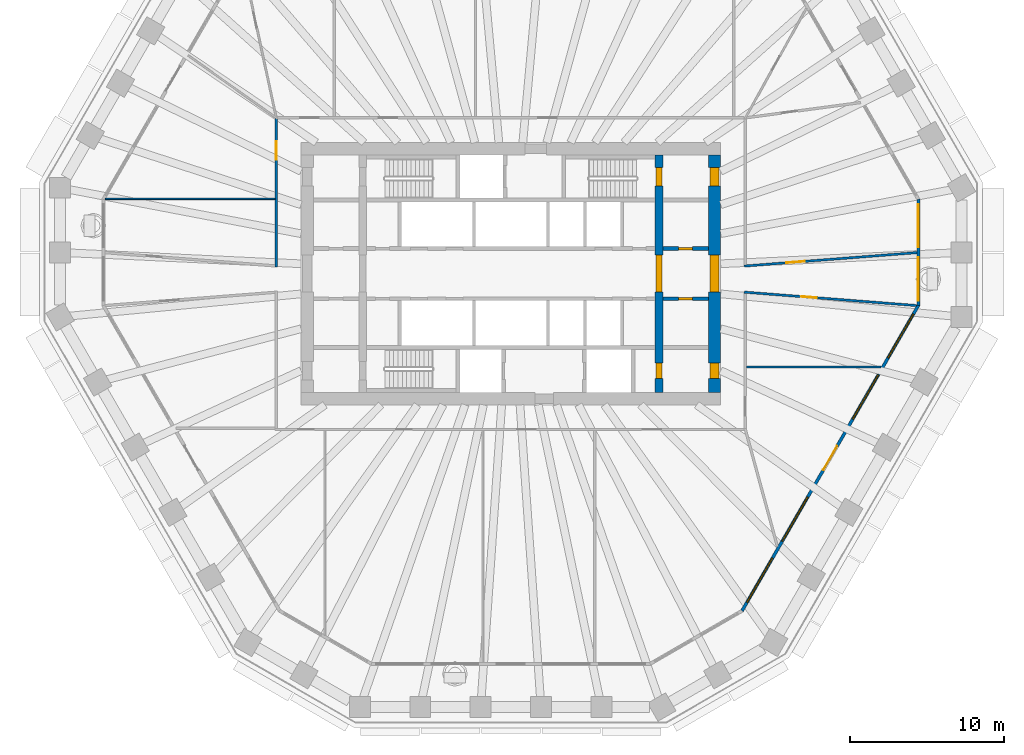
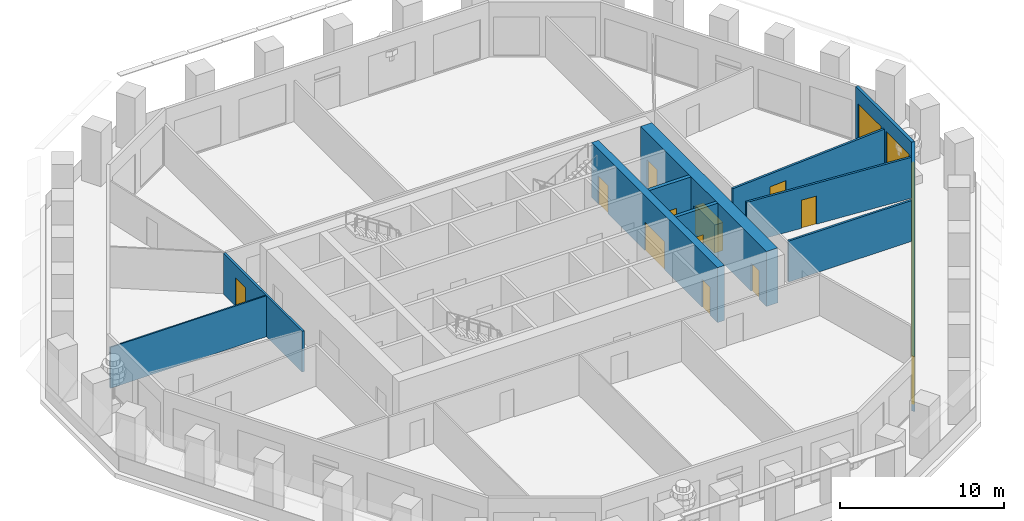
# One storey, part 5 of 12: 12 doors, 11 walls, 7 windows, 19 openings.
"""IFC4 building model written with IfcOpenShell, lengths in metres."""

from ifc_helpers import new_model, si_unit, direction, frame, frame_2d, origin, place, context, subcontext, project, spatial, polyline, rectangle, outline, extrude, material, layer, layer_set, type_object, element, fill, save


model = new_model("IFC4")

# Units and contexts
model_context = context("Model", 3, precision=1e-05, world=origin(), true_north=direction((0.0, 1.0)))
body_context = subcontext(model_context, "Body", "Model", "MODEL_VIEW")
ifc_project = project(units=[si_unit("LENGTHUNIT", "METRE"), si_unit("AREAUNIT", "SQUARE_METRE"), si_unit("VOLUMEUNIT", "CUBIC_METRE"), si_unit("PLANEANGLEUNIT", "RADIAN"), si_unit("MASSUNIT", "GRAM", prefix="KILO")], contexts=[model_context])

# Site, building, storey
site_placement = place(None, origin())
site = spatial("IfcSite", under=ifc_project, at=site_placement, CompositionType="ELEMENT")
building_placement = place(site_placement, origin())
building = spatial("IfcBuilding", under=site, at=building_placement, Name="Frailejon Research Tower", CompositionType="ELEMENT")
storey_placement = place(building_placement, frame((0.0, 0.0, 126.39990234375)))
storey = spatial("IfcBuildingStorey", under=building, at=storey_placement, Name="L27", CompositionType="ELEMENT", Elevation=126.39990234375)

# Wall, openings, doors
ifc_material_1 = material(Name="Concrete C70/85", Category="concrete")
ifc_layer_1 = layer(ifc_material_1, 0.5)
ifc_layer_set_1 = layer_set([ifc_layer_1], Name="Core shear wall 500 C70/85")
wall_type_1 = type_object("IfcWallType", Name="Core shear wall 500 C70/85", PredefinedType="SHEAR", material=ifc_layer_set_1)
wall_1_placement = place(storey_placement, frame((9.60009765625, -7.699951171875, 0.0), z_axis=(0.0, 0.0, 1.0), x_axis=(0.0, 1.0, 0.0)))
wall_1 = element("IfcWall", 1, at=wall_1_placement, inside=storey, type_object=wall_type_1, Name="Core shear wall", PredefinedType="SHEAR", context=body_context, shape_type="SweptSolid", body=[
    extrude(rectangle(XDim=15.39990234375, YDim=0.5, at=frame_2d((7.699951171875, 0.0))), origin(), (0.0, 0.0, 1.0), 4.10009765625),
])
opening_1_placement = place(wall_1_placement, frame((6.5, 0.0, 0.0)))
opening_1 = element("IfcOpeningElement", 2, at=opening_1_placement, cuts=wall_1, Name="Opening D2", PredefinedType="OPENING", context=body_context, shape_type="SweptSolid", body=[
    extrude(rectangle(XDim=2.39990234375, YDim=2.10009765625, at=frame_2d((1.199951171875, 1.050048828125))), frame((0.0, 0.260009765625, 0.0), z_axis=(0.0, -1.0, 0.0), x_axis=(1.0, 0.0, 0.0)), (0.0, 0.0, 1.0), 0.52001953125),
])
opening_2_placement = place(wall_1_placement, frame((13.39990234375, 0.0, 0.0)))
opening_2 = element("IfcOpeningElement", 3, at=opening_2_placement, cuts=wall_1, Name="Opening D1", PredefinedType="OPENING", context=body_context, shape_type="SweptSolid", body=[
    extrude(rectangle(XDim=1.199951171875, YDim=2.10009765625, at=frame_2d((0.60009765625, 1.050048828125))), frame((0.0, 0.260009765625, 0.0), z_axis=(0.0, -1.0, 0.0), x_axis=(1.0, 0.0, 0.0)), (0.0, 0.0, 1.0), 0.52001953125),
])
opening_3_placement = place(wall_1_placement, frame((0.89990234375, 0.0, 0.0)))
opening_3 = element("IfcOpeningElement", 4, at=opening_3_placement, cuts=wall_1, Name="Opening D4", PredefinedType="OPENING", context=body_context, shape_type="SweptSolid", body=[
    extrude(rectangle(XDim=1.0, YDim=2.10009765625, at=frame_2d((0.5, 1.050048828125))), frame((0.0, 0.260009765625, 0.0), z_axis=(0.0, -1.0, 0.0), x_axis=(1.0, 0.0, 0.0)), (0.0, 0.0, 1.0), 0.52001953125),
])
ifc_material_2 = material(Name="Steel", Category="steel")
door_type_1 = type_object("IfcDoorType", Name="Lobby double door", OperationType="DOUBLE_DOOR_SINGLE_SWING", PredefinedType="DOOR", material=ifc_material_2)
door_1_placement = place(opening_1_placement, origin())
door_1 = element("IfcDoor", 5, at=door_1_placement, inside=storey, type_object=door_type_1, Name="Lobby door", OperationType="DOUBLE_DOOR_SINGLE_SWING", OverallHeight=2.10009765625, OverallWidth=2.39990234375, PredefinedType="DOOR", context=body_context, shape_type="SweptSolid", body=[
    extrude(rectangle(XDim=2.39990234375, YDim=2.10009765625, at=frame_2d((1.199951171875, 1.050048828125))), frame((0.0, 0.199951171875, 0.0), z_axis=(0.0, -1.0, 0.0), x_axis=(1.0, 0.0, 0.0)), (0.0, 0.0, 1.0), 0.39990234375),
])
fill(opening_1, door_1)
ifc_material_3 = material(Name="Steel", Category="steel")
door_type_2 = type_object("IfcDoorType", Name="Service door", OperationType="SINGLE_SWING_LEFT", PredefinedType="DOOR", material=ifc_material_3)
door_2_placement = place(opening_3_placement, origin())
door_2 = element("IfcDoor", 6, at=door_2_placement, inside=storey, type_object=door_type_2, Name="Riser door", OperationType="SINGLE_SWING_RIGHT", OverallHeight=2.10009765625, OverallWidth=1.0, PredefinedType="DOOR", context=body_context, shape_type="SweptSolid", body=[
    extrude(rectangle(XDim=1.0, YDim=2.10009765625, at=frame_2d((0.5, 1.050048828125))), frame((0.0, 0.199951171875, 0.0), z_axis=(0.0, -1.0, 0.0), x_axis=(1.0, 0.0, 0.0)), (0.0, 0.0, 1.0), 0.39990234375),
])
fill(opening_3, door_2)
ifc_material_4 = material(Name="Steel", Category="steel")
door_type_3 = type_object("IfcDoorType", Name="Stair door", OperationType="SINGLE_SWING_LEFT", PredefinedType="DOOR", material=ifc_material_4)
door_3_placement = place(opening_2_placement, origin())
door_3 = element("IfcDoor", 7, at=door_3_placement, inside=storey, type_object=door_type_3, Name="Stair door ST3", OperationType="SINGLE_SWING_RIGHT", OverallHeight=2.10009765625, OverallWidth=1.199951171875, PredefinedType="DOOR", context=body_context, shape_type="SweptSolid", body=[
    extrude(rectangle(XDim=1.199951171875, YDim=2.10009765625, at=frame_2d((0.60009765625, 1.050048828125))), frame((0.0, 0.199951171875, 0.0), z_axis=(0.0, -1.0, 0.0), x_axis=(1.0, 0.0, 0.0)), (0.0, 0.0, 1.0), 0.39990234375),
])
fill(opening_2, door_3)

ifc_material_5 = material(Name="Concrete C70/85", Category="concrete")
ifc_layer_2 = layer(ifc_material_5, 0.800048828125)
ifc_layer_set_2 = layer_set([ifc_layer_2], Name="Core shear wall 800 C70/85")
wall_type_2 = type_object("IfcWallType", Name="Core shear wall 800 C70/85", PredefinedType="SHEAR", material=ifc_layer_set_2)
wall_2_placement = place(storey_placement, frame((13.199951171875, -7.699951171875, 0.0), z_axis=(0.0, 0.0, 1.0), x_axis=(0.0, 1.0, 0.0)))
wall_2 = element("IfcWall", 8, at=wall_2_placement, inside=storey, type_object=wall_type_2, Name="Core shear wall", PredefinedType="SHEAR", context=body_context, shape_type="SweptSolid", body=[
    extrude(rectangle(XDim=15.39990234375, YDim=0.800048828125, at=frame_2d((7.699951171875, 0.0))), origin(), (0.0, 0.0, 1.0), 4.10009765625),
])
opening_4_placement = place(wall_2_placement, frame((6.5, 0.0, 0.0)))
opening_4 = element("IfcOpeningElement", 9, at=opening_4_placement, cuts=wall_2, Name="Opening D2", PredefinedType="OPENING", context=body_context, shape_type="SweptSolid", body=[
    extrude(rectangle(XDim=2.39990234375, YDim=2.10009765625, at=frame_2d((1.199951171875, 1.050048828125))), frame((0.0, 0.409912109375, 0.0), z_axis=(0.0, -1.0, 0.0), x_axis=(1.0, 0.0, 0.0)), (0.0, 0.0, 1.0), 0.820068359375),
])
opening_5_placement = place(wall_2_placement, frame((13.39990234375, 0.0, 0.0)))
opening_5 = element("IfcOpeningElement", 10, at=opening_5_placement, cuts=wall_2, Name="Opening D7", PredefinedType="OPENING", context=body_context, shape_type="SweptSolid", body=[
    extrude(rectangle(XDim=1.199951171875, YDim=2.10009765625, at=frame_2d((0.60009765625, 1.050048828125))), frame((0.0, 0.409912109375, 0.0), z_axis=(0.0, -1.0, 0.0), x_axis=(1.0, 0.0, 0.0)), (0.0, 0.0, 1.0), 0.820068359375),
])
opening_6_placement = place(wall_2_placement, frame((0.89990234375, 0.0, 0.0)))
opening_6 = element("IfcOpeningElement", 11, at=opening_6_placement, cuts=wall_2, Name="Opening D4", PredefinedType="OPENING", context=body_context, shape_type="SweptSolid", body=[
    extrude(rectangle(XDim=1.0, YDim=2.10009765625, at=frame_2d((0.5, 1.050048828125))), frame((0.0, 0.409912109375, 0.0), z_axis=(0.0, -1.0, 0.0), x_axis=(1.0, 0.0, 0.0)), (0.0, 0.0, 1.0), 0.820068359375),
])
door_4_placement = place(opening_4_placement, origin())
door_4 = element("IfcDoor", 12, at=door_4_placement, inside=storey, type_object=door_type_1, Name="Lobby door", OperationType="DOUBLE_DOOR_SINGLE_SWING", OverallHeight=2.10009765625, OverallWidth=2.39990234375, PredefinedType="DOOR", context=body_context, shape_type="SweptSolid", body=[
    extrude(rectangle(XDim=2.39990234375, YDim=2.10009765625, at=frame_2d((1.199951171875, 1.050048828125))), frame((0.0, 0.300048828125, 0.0), z_axis=(0.0, -1.0, 0.0), x_axis=(1.0, 0.0, 0.0)), (0.0, 0.0, 1.0), 0.60009765625),
])
fill(opening_4, door_4)
door_5_placement = place(opening_6_placement, origin())
door_5 = element("IfcDoor", 13, at=door_5_placement, inside=storey, type_object=door_type_2, Name="Store door", OperationType="SINGLE_SWING_LEFT", OverallHeight=2.10009765625, OverallWidth=1.0, PredefinedType="DOOR", context=body_context, shape_type="SweptSolid", body=[
    extrude(rectangle(XDim=1.0, YDim=2.10009765625, at=frame_2d((0.5, 1.050048828125))), frame((0.0, 0.300048828125, 0.0), z_axis=(0.0, -1.0, 0.0), x_axis=(1.0, 0.0, 0.0)), (0.0, 0.0, 1.0), 0.60009765625),
])
fill(opening_6, door_5)
ifc_material_6 = material(Name="Steel", Category="steel")
door_type_4 = type_object("IfcDoorType", Name="Stair exit door", OperationType="SINGLE_SWING_LEFT", PredefinedType="DOOR", material=ifc_material_6)
door_6_placement = place(opening_5_placement, origin())
door_6 = element("IfcDoor", 14, at=door_6_placement, inside=storey, type_object=door_type_4, Name="Stair exit door ST3", OperationType="SINGLE_SWING_LEFT", OverallHeight=2.10009765625, OverallWidth=1.199951171875, PredefinedType="DOOR", context=body_context, shape_type="SweptSolid", body=[
    extrude(rectangle(XDim=1.199951171875, YDim=2.10009765625, at=frame_2d((0.60009765625, 1.050048828125))), frame((0.0, 0.300048828125, 0.0), z_axis=(0.0, -1.0, 0.0), x_axis=(1.0, 0.0, 0.0)), (0.0, 0.0, 1.0), 0.60009765625),
])
fill(opening_5, door_6)

# Wall, opening, door
ifc_material_7 = material(Name="Gypsum board and masonry partition", Category="masonry")
ifc_layer_3 = layer(ifc_material_7, 0.14990234375)
ifc_layer_set_3 = layer_set([ifc_layer_3], Name="Corridor wall EI 60, gypsum on steel studs 150")
wall_type_3 = type_object("IfcWallType", Name="Corridor wall EI 60, gypsum on steel studs 150", PredefinedType="PARTITIONING", material=ifc_layer_set_3)
wall_3_placement = place(storey_placement, frame((-15.199951171875, 0.42578125, 0.0), z_axis=(0.0, 0.0, 1.0), x_axis=(0.0, 1.0, 0.0)))
wall_3 = element("IfcWall", 15, at=wall_3_placement, inside=storey, type_object=wall_type_3, Name="T:IW:L27:007", PredefinedType="PARTITIONING", context=body_context, shape_type="SweptSolid", body=[
    extrude(rectangle(XDim=9.624267578125, YDim=0.14990234375, at=frame_2d((4.81201171875, 0.0))), origin(), (0.0, 0.0, 1.0), 3.050048828125),
])
opening_7_placement = place(wall_3_placement, frame((6.95068359375, 0.0, 0.0)))
opening_7 = element("IfcOpeningElement", 16, at=opening_7_placement, cuts=wall_3, Name="Opening D1654", PredefinedType="OPENING", context=body_context, shape_type="SweptSolid", body=[
    extrude(rectangle(XDim=1.199951171875, YDim=2.10009765625, at=frame_2d((0.60009765625, 1.050048828125))), frame((0.0, 0.0849609375, 0.0), z_axis=(0.0, -1.0, 0.0), x_axis=(1.0, 0.0, 0.0)), (0.0, 0.0, 1.0), 0.169921875),
])
ifc_material_8 = material(Name="Timber door leaf", Category="wood")
door_type_5 = type_object("IfcDoorType", Name="Door single leaf, timber, steel frame 1200", OperationType="NOTDEFINED", PredefinedType="DOOR", material=ifc_material_8)
door_7_placement = place(opening_7_placement, origin())
door_7 = element("IfcDoor", 17, at=door_7_placement, inside=storey, type_object=door_type_5, Name="D1654", OperationType="DOUBLE_DOOR_SINGLE_SWING", OverallHeight=2.10009765625, OverallWidth=1.199951171875, PredefinedType="DOOR", context=body_context, shape_type="SweptSolid", body=[
    extrude(rectangle(XDim=1.199951171875, YDim=2.10009765625, at=frame_2d((0.60009765625, 1.050048828125))), frame((0.0, 0.02490234375, 0.0), z_axis=(0.0, -1.0, 0.0), x_axis=(1.0, 0.0, 0.0)), (0.0, 0.0, 1.0), 0.050048828125),
])
fill(opening_7, door_7)

wall_4_placement = place(storey_placement, frame((15.125244140625, 0.494873046875, 0.0), z_axis=(0.0, 0.0, 1.0), x_axis=(0.996973035288, 0.07774809907, 0.0)))
wall_4 = element("IfcWall", 18, at=wall_4_placement, inside=storey, type_object=wall_type_3, Name="T:IW:L27:009", PredefinedType="PARTITIONING", context=body_context, shape_type="SweptSolid", body=[
    extrude(rectangle(XDim=11.2197265625, YDim=0.14990234375, at=frame_2d((5.60986328125, 0.0))), origin(), (0.0, 0.0, 1.0), 3.050048828125),
])
opening_8_placement = place(wall_4_placement, frame((2.736083984375, 0.0, 0.0)))
opening_8 = element("IfcOpeningElement", 19, at=opening_8_placement, cuts=wall_4, Name="Opening D1647", PredefinedType="OPENING", context=body_context, shape_type="SweptSolid", body=[
    extrude(rectangle(XDim=1.199951171875, YDim=2.10009765625, at=frame_2d((0.60009765625, 1.050048828125))), frame((0.0, 0.0849609375, 0.0), z_axis=(0.0, -1.0, 0.0), x_axis=(1.0, 0.0, 0.0)), (0.0, 0.0, 1.0), 0.169921875),
])
ifc_material_9 = material(Name="Timber door leaf", Category="wood")
door_type_6 = type_object("IfcDoorType", Name="Door laboratory, timber, vision panel 1200", OperationType="NOTDEFINED", PredefinedType="DOOR", material=ifc_material_9)
door_8_placement = place(opening_8_placement, origin())
door_8 = element("IfcDoor", 20, at=door_8_placement, inside=storey, type_object=door_type_6, Name="D1647", OperationType="DOUBLE_DOOR_SINGLE_SWING", OverallHeight=2.10009765625, OverallWidth=1.199951171875, PredefinedType="DOOR", context=body_context, shape_type="SweptSolid", body=[
    extrude(rectangle(XDim=1.199951171875, YDim=2.10009765625, at=frame_2d((0.60009765625, 1.050048828125))), frame((0.0, 0.02490234375, 0.0), z_axis=(0.0, -1.0, 0.0), x_axis=(1.0, 0.0, 0.0)), (0.0, 0.0, 1.0), 0.050048828125),
])
fill(opening_8, door_8)

wall_5_placement = place(storey_placement, frame((15.125244140625, -1.193603515625, 0.0), z_axis=(0.0, 0.0, 1.0), x_axis=(0.996973662759, -0.07774005251, 0.0)))
wall_5 = element("IfcWall", 21, at=wall_5_placement, inside=storey, type_object=wall_type_3, Name="T:IW:L27:010", PredefinedType="PARTITIONING", context=body_context, shape_type="SweptSolid", body=[
    extrude(rectangle(XDim=11.198974609375, YDim=0.14990234375, at=frame_2d((5.599609375, 0.0))), origin(), (0.0, 0.0, 1.0), 3.050048828125),
])
opening_9_placement = place(wall_5_placement, frame((3.723388671875, 0.0, 0.0)))
opening_9 = element("IfcOpeningElement", 22, at=opening_9_placement, cuts=wall_5, Name="Opening D1662", PredefinedType="OPENING", context=body_context, shape_type="SweptSolid", body=[
    extrude(rectangle(XDim=1.0, YDim=2.10009765625, at=frame_2d((0.5, 1.050048828125))), frame((0.0, 0.0849609375, 0.0), z_axis=(0.0, -1.0, 0.0), x_axis=(1.0, 0.0, 0.0)), (0.0, 0.0, 1.0), 0.169921875),
])
ifc_material_10 = material(Name="Timber door leaf", Category="wood")
door_type_7 = type_object("IfcDoorType", Name="Door single leaf, timber, steel frame 1000", OperationType="NOTDEFINED", PredefinedType="DOOR", material=ifc_material_10)
door_9_placement = place(opening_9_placement, origin())
door_9 = element("IfcDoor", 23, at=door_9_placement, inside=storey, type_object=door_type_7, Name="D1662", OperationType="SINGLE_SWING_RIGHT", OverallHeight=2.10009765625, OverallWidth=1.0, PredefinedType="DOOR", context=body_context, shape_type="SweptSolid", body=[
    extrude(rectangle(XDim=1.0, YDim=2.10009765625, at=frame_2d((0.5, 1.050048828125))), frame((0.0, 0.02490234375, 0.0), z_axis=(0.0, -1.0, 0.0), x_axis=(1.0, 0.0, 0.0)), (0.0, 0.0, 1.0), 0.050048828125),
])
fill(opening_9, door_9)

# Walls
ifc_material_11 = material(Name="Gypsum board and masonry partition", Category="masonry")
ifc_layer_4 = layer(ifc_material_11, 0.14990234375)
ifc_layer_set_4 = layer_set([ifc_layer_4], Name="Laboratory partition, blockwork 150")
wall_type_4 = type_object("IfcWallType", Name="Laboratory partition, blockwork 150", PredefinedType="PARTITIONING", material=ifc_layer_set_4)
wall_6_placement = place(storey_placement, frame((15.27490234375, -6.048828125, 0.0), z_axis=(0.0, 0.0, 1.0), x_axis=(1.0, 0.0, 0.0)))
element("IfcWall", 24, at=wall_6_placement, inside=storey, type_object=wall_type_4, Name="T:IW:L27:018", PredefinedType="PARTITIONING", context=body_context, shape_type="SweptSolid", body=[
    extrude(rectangle(XDim=8.714599609375, YDim=0.14990234375, at=frame_2d((4.357421875, 0.0))), origin(), (0.0, 0.0, 1.0), 3.050048828125),
])
ifc_material_12 = material(Name="Gypsum board and masonry partition", Category="masonry")
ifc_layer_5 = layer(ifc_material_12, 0.10009765625)
ifc_layer_set_5 = layer_set([ifc_layer_5], Name="Partition, gypsum on steel studs 100")
wall_type_5 = type_object("IfcWallType", Name="Partition, gypsum on steel studs 100", PredefinedType="PARTITIONING", material=ifc_layer_set_5)
wall_7_placement = place(storey_placement, frame((-26.2802734375, 4.846923828125, 0.0), z_axis=(0.0, 0.0, 1.0), x_axis=(1.0, 0.0, 0.0)))
element("IfcWall", 25, at=wall_7_placement, inside=storey, type_object=wall_type_5, Name="T:IW:L27:022", PredefinedType="PARTITIONING", context=body_context, shape_type="SweptSolid", body=[
    extrude(rectangle(XDim=11.00537109375, YDim=0.10009765625, at=frame_2d((5.502685546875, 0.0))), origin(), (0.0, 0.0, 1.0), 3.050048828125),
])

# Wall, opening, door
ifc_material_13 = material(Name="Concrete C70/85", Category="concrete")
ifc_layer_6 = layer(ifc_material_13, 0.25)
ifc_layer_set_6 = layer_set([ifc_layer_6], Name="Shaft wall 250 C70/85")
wall_type_6 = type_object("IfcWallType", Name="Shaft wall 250 C70/85", PredefinedType="SOLIDWALL", material=ifc_layer_set_6)
wall_8_placement = place(storey_placement, frame((9.85009765625, 1.625, 0.0), z_axis=(0.0, 0.0, 1.0), x_axis=(1.0, 0.0, 0.0)))
wall_8 = element("IfcWall", 26, at=wall_8_placement, inside=storey, type_object=wall_type_6, Name="Shaft wall", PredefinedType="SOLIDWALL", context=body_context, shape_type="SweptSolid", body=[
    extrude(rectangle(XDim=2.949951171875, YDim=0.25, at=frame_2d((1.47509765625, 0.0))), origin(), (0.0, 0.0, 1.0), 4.10009765625),
])
opening_10_placement = place(wall_8_placement, frame((1.02490234375, 0.0, 0.0)))
opening_10 = element("IfcOpeningElement", 27, at=opening_10_placement, cuts=wall_8, Name="Opening D8", PredefinedType="OPENING", context=body_context, shape_type="SweptSolid", body=[
    extrude(rectangle(XDim=0.89990234375, YDim=2.10009765625, at=frame_2d((0.449951171875, 1.050048828125))), frame((0.0, 0.135009765625, 0.0), z_axis=(0.0, -1.0, 0.0), x_axis=(1.0, 0.0, 0.0)), (0.0, 0.0, 1.0), 0.27001953125),
])
ifc_material_14 = material(Name="Steel", Category="steel")
door_type_8 = type_object("IfcDoorType", Name="Core room door", OperationType="SINGLE_SWING_LEFT", PredefinedType="DOOR", material=ifc_material_14)
door_10_placement = place(opening_10_placement, origin())
door_10 = element("IfcDoor", 28, at=door_10_placement, inside=storey, type_object=door_type_8, Name="Room door", OperationType="SINGLE_SWING_LEFT", OverallHeight=2.10009765625, OverallWidth=0.89990234375, PredefinedType="DOOR", context=body_context, shape_type="SweptSolid", body=[
    extrude(rectangle(XDim=0.89990234375, YDim=2.10009765625, at=frame_2d((0.449951171875, 1.050048828125))), frame((0.0, 0.074951171875, 0.0), z_axis=(0.0, -1.0, 0.0), x_axis=(1.0, 0.0, 0.0)), (0.0, 0.0, 1.0), 0.14990234375),
])
fill(opening_10, door_10)

wall_9_placement = place(storey_placement, frame((9.85009765625, -1.625, 0.0), z_axis=(0.0, 0.0, 1.0), x_axis=(1.0, 0.0, 0.0)))
wall_9 = element("IfcWall", 29, at=wall_9_placement, inside=storey, type_object=wall_type_6, Name="Shaft wall", PredefinedType="SOLIDWALL", context=body_context, shape_type="SweptSolid", body=[
    extrude(rectangle(XDim=2.949951171875, YDim=0.25, at=frame_2d((1.47509765625, 0.0))), origin(), (0.0, 0.0, 1.0), 4.10009765625),
])
opening_11_placement = place(wall_9_placement, frame((1.02490234375, 0.0, 0.0)))
opening_11 = element("IfcOpeningElement", 30, at=opening_11_placement, cuts=wall_9, Name="Opening D8", PredefinedType="OPENING", context=body_context, shape_type="SweptSolid", body=[
    extrude(rectangle(XDim=0.89990234375, YDim=2.10009765625, at=frame_2d((0.449951171875, 1.050048828125))), frame((0.0, 0.135009765625, 0.0), z_axis=(0.0, -1.0, 0.0), x_axis=(1.0, 0.0, 0.0)), (0.0, 0.0, 1.0), 0.27001953125),
])
door_11_placement = place(opening_11_placement, origin())
door_11 = element("IfcDoor", 31, at=door_11_placement, inside=storey, type_object=door_type_8, Name="Room door", OperationType="SINGLE_SWING_LEFT", OverallHeight=2.10009765625, OverallWidth=0.89990234375, PredefinedType="DOOR", context=body_context, shape_type="SweptSolid", body=[
    extrude(rectangle(XDim=0.89990234375, YDim=2.10009765625, at=frame_2d((0.449951171875, 1.050048828125))), frame((0.0, 0.074951171875, 0.0), z_axis=(0.0, -1.0, 0.0), x_axis=(1.0, 0.0, 0.0)), (0.0, 0.0, 1.0), 0.14990234375),
])
fill(opening_11, door_11)

# Wall, openings, windows
ifc_material_15 = material(Name="Concrete C40/50 precast window wall panel", Category="concrete")
ifc_layer_7 = layer(ifc_material_15, 0.199951171875)
ifc_layer_set_7 = layer_set([ifc_layer_7], Name="Window wall 200")
wall_type_7 = type_object("IfcWallType", Name="Window wall 200", PredefinedType="SOLIDWALL", material=ifc_layer_set_7)
wall_10_placement = place(storey_placement, frame((26.4111328125, -2.0546875, 0.0), z_axis=(0.0, 0.0, 1.0), x_axis=(0.0, 1.0, 0.0)))
wall_10 = element("IfcWall", 32, at=wall_10_placement, inside=storey, type_object=wall_type_7, Name="Exterior wall L27", PredefinedType="SOLIDWALL", context=body_context, shape_type="SweptSolid", body=[
    extrude(outline(polyline([(-0.02685546875, -0.10009765625), (1.1279296875, -0.10009765625), (2.28271484375, -0.10009765625), (3.4375, -0.10009765625), (4.592041015625, -0.10009765625), (5.746826171875, -0.10009765625), (6.901611328125, -0.10009765625), (6.847900390625, 0.10009765625), (5.7109375, 0.10009765625), (4.57421875, 0.10009765625), (3.4375, 0.10009765625), (2.300537109375, 0.10009765625), (1.16357421875, 0.10009765625), (0.02685546875, 0.10009765625), (-0.02685546875, -0.10009765625)])), origin(), (0.0, 0.0, 1.0), 4.10009765625),
])
opening_12_placement = place(wall_10_placement, frame((0.318603515625, 0.0, 0.10009765625)))
opening_12 = element("IfcOpeningElement", 33, at=opening_12_placement, cuts=wall_10, Name="Opening W3", PredefinedType="OPENING", context=body_context, shape_type="SweptSolid", body=[
    extrude(rectangle(XDim=2.800048828125, YDim=2.89990234375, at=frame_2d((1.39990234375, 1.449951171875))), frame((0.0, 0.10986328125, 0.0), z_axis=(0.0, -1.0, 0.0), x_axis=(1.0, 0.0, 0.0)), (0.0, 0.0, 1.0), 0.219970703125),
])
opening_13_placement = place(wall_10_placement, frame((3.756103515625, 0.0, 0.10009765625)))
opening_13 = element("IfcOpeningElement", 34, at=opening_13_placement, cuts=wall_10, Name="Opening W3", PredefinedType="OPENING", context=body_context, shape_type="SweptSolid", body=[
    extrude(rectangle(XDim=2.800048828125, YDim=2.89990234375, at=frame_2d((1.39990234375, 1.449951171875))), frame((0.0, 0.10986328125, 0.0), z_axis=(0.0, -1.0, 0.0), x_axis=(1.0, 0.0, 0.0)), (0.0, 0.0, 1.0), 0.219970703125),
])
ifc_material_16 = material(Name="Aluminium framed double glazing", Category="aluminium")
window_type_1 = type_object("IfcWindowType", Name="Window 2800x2900", PartitioningType="SINGLE_PANEL", PredefinedType="WINDOW", material=ifc_material_16)
window_1_placement = place(opening_12_placement, origin())
window_1 = element("IfcWindow", 35, at=window_1_placement, inside=storey, type_object=window_type_1, Name="Window L27", OverallHeight=2.89990234375, OverallWidth=2.800048828125, PartitioningType="SINGLE_PANEL", PredefinedType="WINDOW", context=body_context, shape_type="SweptSolid", body=[
    extrude(rectangle(XDim=2.800048828125, YDim=2.89990234375, at=frame_2d((1.39990234375, 1.449951171875))), frame((0.0, 0.030029296875, 0.0), z_axis=(0.0, -1.0, 0.0), x_axis=(1.0, 0.0, 0.0)), (0.0, 0.0, 1.0), 0.06005859375),
])
fill(opening_12, window_1)
window_2_placement = place(opening_13_placement, origin())
window_2 = element("IfcWindow", 36, at=window_2_placement, inside=storey, type_object=window_type_1, Name="Window L27", OverallHeight=2.89990234375, OverallWidth=2.800048828125, PartitioningType="SINGLE_PANEL", PredefinedType="WINDOW", context=body_context, shape_type="SweptSolid", body=[
    extrude(rectangle(XDim=2.800048828125, YDim=2.89990234375, at=frame_2d((1.39990234375, 1.449951171875))), frame((0.0, 0.030029296875, 0.0), z_axis=(0.0, -1.0, 0.0), x_axis=(1.0, 0.0, 0.0)), (0.0, 0.0, 1.0), 0.06005859375),
])
fill(opening_13, window_2)

# Wall, openings, door, windows
wall_11_placement = place(storey_placement, frame((14.98486328125, -21.845458984375, 0.0), z_axis=(0.0, 0.0, 1.0), x_axis=(0.50000204422, 0.86602422355, 0.0)))
wall_11 = element("IfcWall", 37, at=wall_11_placement, inside=storey, type_object=wall_type_7, Name="Exterior wall L27", PredefinedType="SOLIDWALL", context=body_context, shape_type="SweptSolid", body=[
    extrude(outline(polyline([(-0.02685546875, -0.10009765625), (1.014404296875, -0.10009765625), (2.055419921875, -0.10009765625), (3.0966796875, -0.10009765625), (4.137939453125, -0.10009765625), (5.17919921875, -0.10009765625), (6.22021484375, -0.10009765625), (7.261474609375, -0.10009765625), (8.302734375, -0.10009765625), (9.343994140625, -0.10009765625), (10.385009765625, -0.10009765625), (11.42626953125, -0.10009765625), (12.467529296875, -0.10009765625), (13.508544921875, -0.10009765625), (14.5498046875, -0.10009765625), (15.591064453125, -0.10009765625), (16.63232421875, -0.10009765625), (17.67333984375, -0.10009765625), (18.714599609375, -0.10009765625), (19.755859375, -0.10009765625), (20.797119140625, -0.10009765625), (21.838134765625, -0.10009765625), (22.87939453125, -0.10009765625), (22.82568359375, 0.10009765625), (21.789306640625, 0.10009765625), (20.753173828125, 0.10009765625), (19.716796875, 0.10009765625), (18.680419921875, 0.10009765625), (17.64404296875, 0.10009765625), (16.60791015625, 0.10009765625), (15.571533203125, 0.10009765625), (14.53515625, 0.10009765625), (13.498779296875, 0.10009765625), (12.462646484375, 0.10009765625), (11.42626953125, 0.10009765625), (10.389892578125, 0.10009765625), (9.353759765625, 0.10009765625), (8.3173828125, 0.10009765625), (7.281005859375, 0.10009765625), (6.24462890625, 0.10009765625), (5.20849609375, 0.10009765625), (4.172119140625, 0.10009765625), (3.1357421875, 0.10009765625), (2.099365234375, 0.10009765625), (1.063232421875, 0.10009765625), (0.02685546875, 0.10009765625), (-0.02685546875, -0.10009765625)])), origin(), (0.0, 0.0, 1.0), 4.10009765625),
])
opening_14_placement = place(wall_11_placement, frame((0.63525390625, 0.0, 0.10009765625)))
opening_14 = element("IfcOpeningElement", 38, at=opening_14_placement, cuts=wall_11, Name="Opening W5", PredefinedType="OPENING", context=body_context, shape_type="SweptSolid", body=[
    extrude(rectangle(XDim=3.300048828125, YDim=2.89990234375, at=frame_2d((1.64990234375, 1.449951171875))), frame((0.0, 0.10986328125, 0.0), z_axis=(0.0, -1.0, 0.0), x_axis=(1.0, 0.0, 0.0)), (0.0, 0.0, 1.0), 0.219970703125),
])
opening_15_placement = place(wall_11_placement, frame((5.205810546875, 0.0, 0.10009765625)))
opening_15 = element("IfcOpeningElement", 39, at=opening_15_placement, cuts=wall_11, Name="Opening W5", PredefinedType="OPENING", context=body_context, shape_type="SweptSolid", body=[
    extrude(rectangle(XDim=3.300048828125, YDim=2.89990234375, at=frame_2d((1.64990234375, 1.449951171875))), frame((0.0, 0.10986328125, 0.0), z_axis=(0.0, -1.0, 0.0), x_axis=(1.0, 0.0, 0.0)), (0.0, 0.0, 1.0), 0.219970703125),
])
opening_16_placement = place(wall_11_placement, frame((10.5263671875, 0.0, 0.0)))
opening_16 = element("IfcOpeningElement", 40, at=opening_16_placement, cuts=wall_11, Name="Opening LG27-6", PredefinedType="OPENING", context=body_context, shape_type="SweptSolid", body=[
    extrude(rectangle(XDim=1.800048828125, YDim=2.39990234375, at=frame_2d((0.89990234375, 1.199951171875))), frame((0.0, 0.10986328125, 0.0), z_axis=(0.0, -1.0, 0.0), x_axis=(1.0, 0.0, 0.0)), (0.0, 0.0, 1.0), 0.219970703125),
])
opening_17_placement = place(wall_11_placement, frame((10.5263671875, 0.0, 2.550048828125)))
opening_17 = element("IfcOpeningElement", 41, at=opening_17_placement, cuts=wall_11, Name="Opening W1", PredefinedType="OPENING", context=body_context, shape_type="SweptSolid", body=[
    extrude(rectangle(XDim=1.800048828125, YDim=0.449951171875, at=frame_2d((0.89990234375, 0.22509765625))), frame((0.0, 0.10986328125, 0.0), z_axis=(0.0, -1.0, 0.0), x_axis=(1.0, 0.0, 0.0)), (0.0, 0.0, 1.0), 0.219970703125),
])
opening_18_placement = place(wall_11_placement, frame((14.3466796875, 0.0, 0.10009765625)))
opening_18 = element("IfcOpeningElement", 42, at=opening_18_placement, cuts=wall_11, Name="Opening W5", PredefinedType="OPENING", context=body_context, shape_type="SweptSolid", body=[
    extrude(rectangle(XDim=3.300048828125, YDim=2.89990234375, at=frame_2d((1.64990234375, 1.449951171875))), frame((0.0, 0.10986328125, 0.0), z_axis=(0.0, -1.0, 0.0), x_axis=(1.0, 0.0, 0.0)), (0.0, 0.0, 1.0), 0.219970703125),
])
opening_19_placement = place(wall_11_placement, frame((18.917236328125, 0.0, 0.10009765625)))
opening_19 = element("IfcOpeningElement", 43, at=opening_19_placement, cuts=wall_11, Name="Opening W5", PredefinedType="OPENING", context=body_context, shape_type="SweptSolid", body=[
    extrude(rectangle(XDim=3.300048828125, YDim=2.89990234375, at=frame_2d((1.64990234375, 1.449951171875))), frame((0.0, 0.10986328125, 0.0), z_axis=(0.0, -1.0, 0.0), x_axis=(1.0, 0.0, 0.0)), (0.0, 0.0, 1.0), 0.219970703125),
])
ifc_material_17 = material(Name="Aluminium framed glazed door leaf", Category="aluminium")
door_type_9 = type_object("IfcDoorType", Name="Loggia door 1800x2400", OperationType="DOUBLE_DOOR_SINGLE_SWING", PredefinedType="DOOR", material=ifc_material_17)
door_12_placement = place(opening_16_placement, origin())
door_12 = element("IfcDoor", 44, at=door_12_placement, inside=storey, type_object=door_type_9, Name="Door LG27-6", OperationType="DOUBLE_DOOR_SINGLE_SWING", OverallHeight=2.39990234375, OverallWidth=1.800048828125, PredefinedType="DOOR", context=body_context, shape_type="SweptSolid", body=[
    extrude(rectangle(XDim=1.800048828125, YDim=2.39990234375, at=frame_2d((0.89990234375, 1.199951171875))), frame((0.0, 0.02490234375, 0.0), z_axis=(0.0, -1.0, 0.0), x_axis=(1.0, 0.0, 0.0)), (0.0, 0.0, 1.0), 0.050048828125),
])
fill(opening_16, door_12)
ifc_material_18 = material(Name="Aluminium framed double glazing", Category="aluminium")
window_type_2 = type_object("IfcWindowType", Name="Window 1800x450", PartitioningType="SINGLE_PANEL", PredefinedType="WINDOW", material=ifc_material_18)
window_3_placement = place(opening_17_placement, origin())
window_3 = element("IfcWindow", 45, at=window_3_placement, inside=storey, type_object=window_type_2, Name="Window L27", OverallHeight=0.449951171875, OverallWidth=1.800048828125, PartitioningType="SINGLE_PANEL", PredefinedType="WINDOW", context=body_context, shape_type="SweptSolid", body=[
    extrude(rectangle(XDim=1.800048828125, YDim=0.449951171875, at=frame_2d((0.89990234375, 0.22509765625))), frame((0.0, 0.030029296875, 0.0), z_axis=(0.0, -1.0, 0.0), x_axis=(1.0, 0.0, 0.0)), (0.0, 0.0, 1.0), 0.06005859375),
])
fill(opening_17, window_3)
ifc_material_19 = material(Name="Aluminium framed double glazing", Category="aluminium")
window_type_3 = type_object("IfcWindowType", Name="Window 3300x2900", PartitioningType="SINGLE_PANEL", PredefinedType="WINDOW", material=ifc_material_19)
window_4_placement = place(opening_14_placement, origin())
window_4 = element("IfcWindow", 46, at=window_4_placement, inside=storey, type_object=window_type_3, Name="Window L27", OverallHeight=2.89990234375, OverallWidth=3.300048828125, PartitioningType="SINGLE_PANEL", PredefinedType="WINDOW", context=body_context, shape_type="SweptSolid", body=[
    extrude(rectangle(XDim=3.300048828125, YDim=2.89990234375, at=frame_2d((1.64990234375, 1.449951171875))), frame((0.0, 0.030029296875, 0.0), z_axis=(0.0, -1.0, 0.0), x_axis=(1.0, 0.0, 0.0)), (0.0, 0.0, 1.0), 0.06005859375),
])
fill(opening_14, window_4)
window_5_placement = place(opening_15_placement, origin())
window_5 = element("IfcWindow", 47, at=window_5_placement, inside=storey, type_object=window_type_3, Name="Window L27", OverallHeight=2.89990234375, OverallWidth=3.300048828125, PartitioningType="SINGLE_PANEL", PredefinedType="WINDOW", context=body_context, shape_type="SweptSolid", body=[
    extrude(rectangle(XDim=3.300048828125, YDim=2.89990234375, at=frame_2d((1.64990234375, 1.449951171875))), frame((0.0, 0.030029296875, 0.0), z_axis=(0.0, -1.0, 0.0), x_axis=(1.0, 0.0, 0.0)), (0.0, 0.0, 1.0), 0.06005859375),
])
fill(opening_15, window_5)
window_6_placement = place(opening_18_placement, origin())
window_6 = element("IfcWindow", 48, at=window_6_placement, inside=storey, type_object=window_type_3, Name="Window L27", OverallHeight=2.89990234375, OverallWidth=3.300048828125, PartitioningType="SINGLE_PANEL", PredefinedType="WINDOW", context=body_context, shape_type="SweptSolid", body=[
    extrude(rectangle(XDim=3.300048828125, YDim=2.89990234375, at=frame_2d((1.64990234375, 1.449951171875))), frame((0.0, 0.030029296875, 0.0), z_axis=(0.0, -1.0, 0.0), x_axis=(1.0, 0.0, 0.0)), (0.0, 0.0, 1.0), 0.06005859375),
])
fill(opening_18, window_6)
window_7_placement = place(opening_19_placement, origin())
window_7 = element("IfcWindow", 49, at=window_7_placement, inside=storey, type_object=window_type_3, Name="Window L27", OverallHeight=2.89990234375, OverallWidth=3.300048828125, PartitioningType="SINGLE_PANEL", PredefinedType="WINDOW", context=body_context, shape_type="SweptSolid", body=[
    extrude(rectangle(XDim=3.300048828125, YDim=2.89990234375, at=frame_2d((1.64990234375, 1.449951171875))), frame((0.0, 0.030029296875, 0.0), z_axis=(0.0, -1.0, 0.0), x_axis=(1.0, 0.0, 0.0)), (0.0, 0.0, 1.0), 0.06005859375),
])
fill(opening_19, window_7)

save(model, "model.ifc")
